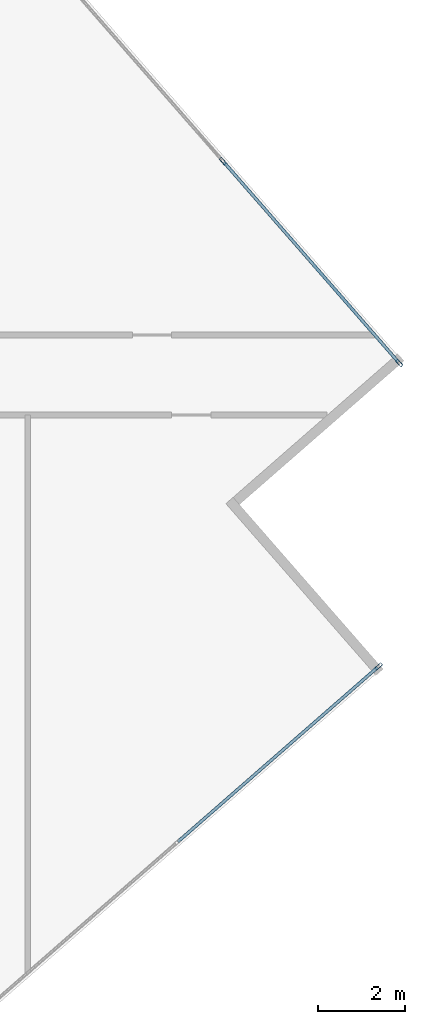
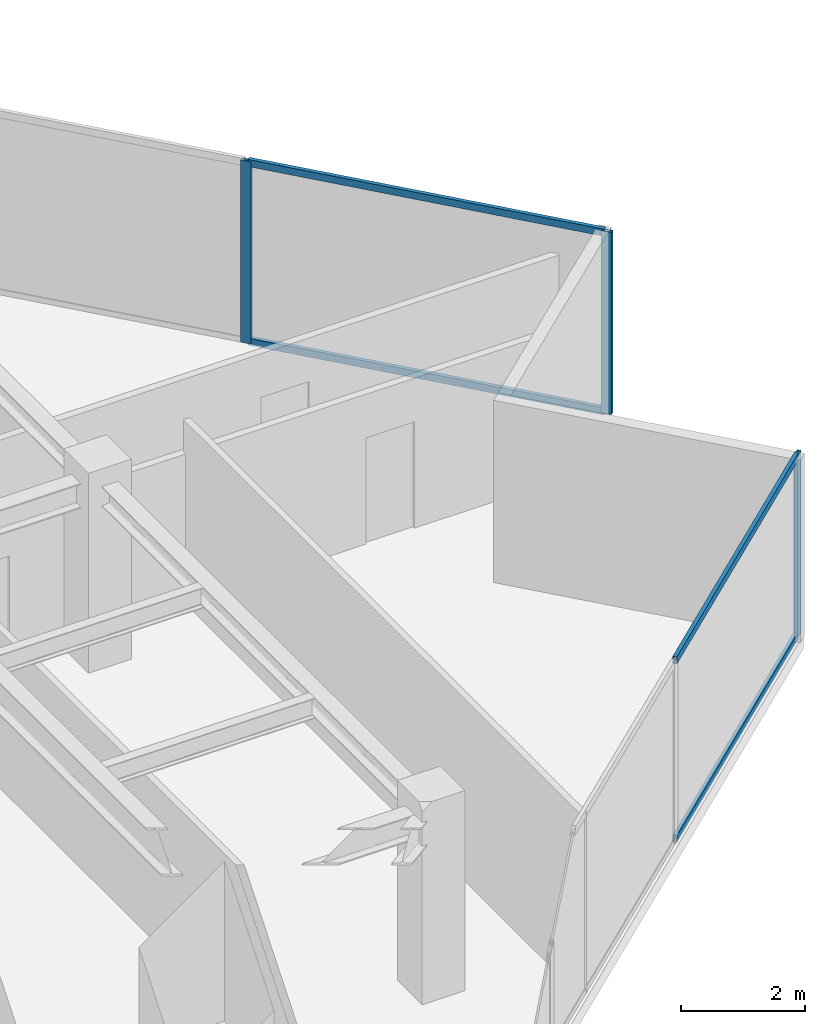
# One storey, part 12 of 24: 7 members, 2 elements without a shape of their own.
"""IFC4 building model written with IfcOpenShell, lengths in metres."""

from ifc_helpers import new_model, si_unit, direction, frame, origin, origin_2d, place, context, subcontext, project, spatial, hollow_rectangle, extrude, source, transform, mapped, material, material_profile, profile_set, type_object, type_shapes, element, aggregate, save


model = new_model("IFC4")

# Units and contexts
model_context = context("Model", 3, precision=1e-05, world=origin(), true_north=direction((0.0, 1.0)))
body_context = subcontext(model_context, "Body", "Model", "MODEL_VIEW")
ifc_project = project(units=[si_unit("LENGTHUNIT", "METRE"), si_unit("AREAUNIT", "SQUARE_METRE"), si_unit("VOLUMEUNIT", "CUBIC_METRE"), si_unit("PLANEANGLEUNIT", "RADIAN"), si_unit("MASSUNIT", "GRAM", prefix="KILO")], contexts=[model_context])

# Site, building, storey
site_placement = place(None, origin())
site = spatial("IfcSite", under=ifc_project, at=site_placement, CompositionType="ELEMENT")
building_placement = place(site_placement, origin())
building = spatial("IfcBuilding", under=site, at=building_placement, Name="Krantzveldt Concourse Tower", CompositionType="ELEMENT")
storey_placement = place(building_placement, frame((0.0, 0.0, 258.64990234375)))
storey = spatial("IfcBuildingStorey", under=building, at=storey_placement, Name="L63", CompositionType="ELEMENT", Elevation=258.64990234375)

# Curtain wall, member
ifc_material = material(Name="Anodised aluminium 6063-T6", Category="aluminium")
curtain_wall_type = type_object("IfcCurtainWallType", Name="CW3", PredefinedType="USERDEFINED", material=ifc_material)
curtain_wall_1_placement = place(storey_placement, origin())
curtain_wall_1 = element("IfcCurtainWall", 1, at=curtain_wall_1_placement, inside=storey, type_object=curtain_wall_type, Name="CW-L63-F07", ObjectType="UNITISED CURTAIN WALL", PredefinedType="USERDEFINED")
ifc_material_profile_1 = material_profile(ifc_material, hollow_rectangle(XDim=0.070068359375, YDim=0.179931640625, WallThickness=0.0048828125, at=origin_2d()), Name="Anodised aluminium 6063-T6", Category="aluminium")
ifc_profile_set_1 = profile_set([ifc_material_profile_1], Name="Anodised aluminium 6063-T6 - ALU-MULL 180x70x5")
member_type_1 = type_object("IfcMemberType", Name="CW-MUL-180", PredefinedType="MULLION", material=ifc_profile_set_1)
shared_shape_1 = source(origin(), body_context, "Body", "SweptSolid", [
    extrude(hollow_rectangle(XDim=0.070068359375, YDim=0.179931640625, WallThickness=0.0048828125, at=origin_2d()), origin(), (0.0, 0.0, 1.0), 3.60009765625),
])
type_shapes(member_type_1, [shared_shape_1])
member_1_placement = place(storey_placement, frame((61.0732421875, 21.4970703125, 0.0), z_axis=(0.0, 0.0, 1.0), x_axis=(-0.657703938567, 0.753276529034, 0.0)))
member_1 = element("IfcMember", 2, at=member_1_placement, type_object=member_type_1, Name="CW-Z34 mullion 6", PredefinedType="MULLION", context=body_context, shape_type="MappedRepresentation", body=[
    mapped(shared_shape_1, transform((0.0, 0.0, 0.0), x_axis=(1.0, 0.0, 0.0), y_axis=(0.0, 1.0, 0.0), z_axis=(0.0, 0.0, 1.0), scale=1.0)),
])

# Curtain wall, members
curtain_wall_2_placement = place(storey_placement, origin())
curtain_wall_2 = element("IfcCurtainWall", 3, at=curtain_wall_2_placement, inside=storey, type_object=curtain_wall_type, Name="CW-L63-F10", ObjectType="UNITISED CURTAIN WALL", PredefinedType="USERDEFINED")
member_2_placement = place(storey_placement, frame((61.545654296875, 28.474365234375, 0.0), z_axis=(0.0, 0.0, 1.0), x_axis=(-0.753276529034, -0.657703938567, 0.0)))
member_2 = element("IfcMember", 4, at=member_2_placement, type_object=member_type_1, Name="CW-Z34 mullion 1", PredefinedType="MULLION", context=body_context, shape_type="MappedRepresentation", body=[
    mapped(shared_shape_1, transform((0.0, 0.0, 0.0), x_axis=(1.0, 0.0, 0.0), y_axis=(0.0, 1.0, 0.0), z_axis=(0.0, 0.0, 1.0), scale=1.0)),
])
member_3_placement = place(storey_placement, frame((57.490966796875, 33.1181640625, 0.0), z_axis=(0.0, 0.0, 1.0), x_axis=(-0.753276529034, -0.657703938567, 0.0)))
member_3 = element("IfcMember", 5, at=member_3_placement, type_object=member_type_1, Name="CW-Z34 mullion 2", PredefinedType="MULLION", context=body_context, shape_type="MappedRepresentation", body=[
    mapped(shared_shape_1, transform((0.0, 0.0, 0.0), x_axis=(1.0, 0.0, 0.0), y_axis=(0.0, 1.0, 0.0), z_axis=(0.0, 0.0, 1.0), scale=1.0)),
])

# Member
ifc_material_profile_2 = material_profile(ifc_material, hollow_rectangle(XDim=0.070068359375, YDim=0.139892578125, WallThickness=0.0048828125, at=origin_2d()), Name="Anodised aluminium 6063-T6", Category="aluminium")
ifc_profile_set_2 = profile_set([ifc_material_profile_2], Name="Anodised aluminium 6063-T6 - ALU-TRAN 140x70x5")
member_type_2 = type_object("IfcMemberType", Name="CW-TRN-150", PredefinedType="USERDEFINED", material=ifc_profile_set_2)
shared_shape_2 = source(origin(), body_context, "Body", "SweptSolid", [
    extrude(hollow_rectangle(XDim=0.070068359375, YDim=0.139892578125, WallThickness=0.0048828125, at=origin_2d()), origin(), (0.0, 0.0, 1.0), 6.094970703125),
])
member_4_placement = place(storey_placement, frame((56.45556640625, 17.46533203125, 0.03515625), z_axis=(0.753295838035, 0.657681823072, 0.0), x_axis=(-0.657681823072, 0.753295838035, 0.0)))
member_4 = element("IfcMember", 6, at=member_4_placement, type_object=member_type_2, Name="CW-Z34 transom 5.1", ObjectType="TRANSOM", PredefinedType="USERDEFINED", context=body_context, shape_type="MappedRepresentation", body=[
    mapped(shared_shape_2, transform((0.0, 0.0, 0.0), x_axis=(1.0, 0.0, 0.0), y_axis=(0.0, 1.0, 0.0), z_axis=(0.0, 0.0, 1.0), scale=1.0)),
])

member_5_placement = place(storey_placement, frame((56.45556640625, 17.46533203125, 3.565185546875), z_axis=(0.753295838035, 0.657681823072, 0.0), x_axis=(-0.657681823072, 0.753295838035, 0.0)))
member_5 = element("IfcMember", 7, at=member_5_placement, type_object=member_type_2, Name="CW-Z34 transom 5.2", ObjectType="TRANSOM", PredefinedType="USERDEFINED", context=body_context, shape_type="MappedRepresentation", body=[
    mapped(shared_shape_2, transform((0.0, 0.0, 0.0), x_axis=(1.0, 0.0, 0.0), y_axis=(0.0, 1.0, 0.0), z_axis=(0.0, 0.0, 1.0), scale=1.0)),
])

aggregate(curtain_wall_1, [member_1, member_4, member_5])

shared_shape_3 = source(origin(), body_context, "Body", "SweptSolid", [
    extrude(hollow_rectangle(XDim=0.070068359375, YDim=0.139892578125, WallThickness=0.0048828125, at=origin_2d()), origin(), (0.0, 0.0, 1.0), 6.0947265625),
])
type_shapes(member_type_2, [shared_shape_2, shared_shape_3])
member_6_placement = place(storey_placement, frame((61.522705078125, 28.500732421875, 0.03515625), z_axis=(-0.657701668417, 0.753278511151, 0.0), x_axis=(-0.753278511151, -0.657701668417, 0.0)))
member_6 = element("IfcMember", 8, at=member_6_placement, type_object=member_type_2, Name="CW-Z34 transom 1.1", ObjectType="TRANSOM", PredefinedType="USERDEFINED", context=body_context, shape_type="MappedRepresentation", body=[
    mapped(shared_shape_3, transform((0.0, 0.0, 0.0), x_axis=(1.0, 0.0, 0.0), y_axis=(0.0, 1.0, 0.0), z_axis=(0.0, 0.0, 1.0), scale=1.0)),
])

member_7_placement = place(storey_placement, frame((61.522705078125, 28.500732421875, 3.565185546875), z_axis=(-0.657701668417, 0.753278511151, 0.0), x_axis=(-0.753278511151, -0.657701668417, 0.0)))
member_7 = element("IfcMember", 9, at=member_7_placement, type_object=member_type_2, Name="CW-Z34 transom 1.2", ObjectType="TRANSOM", PredefinedType="USERDEFINED", context=body_context, shape_type="MappedRepresentation", body=[
    mapped(shared_shape_3, transform((0.0, 0.0, 0.0), x_axis=(1.0, 0.0, 0.0), y_axis=(0.0, 1.0, 0.0), z_axis=(0.0, 0.0, 1.0), scale=1.0)),
])

aggregate(curtain_wall_2, [member_2, member_3, member_6, member_7])

save(model, "model.ifc")
